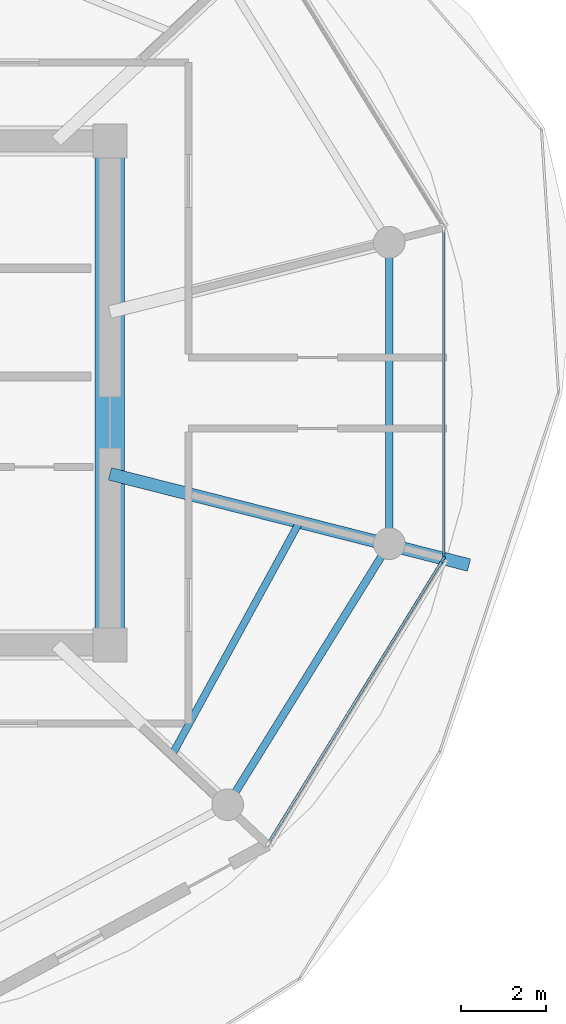
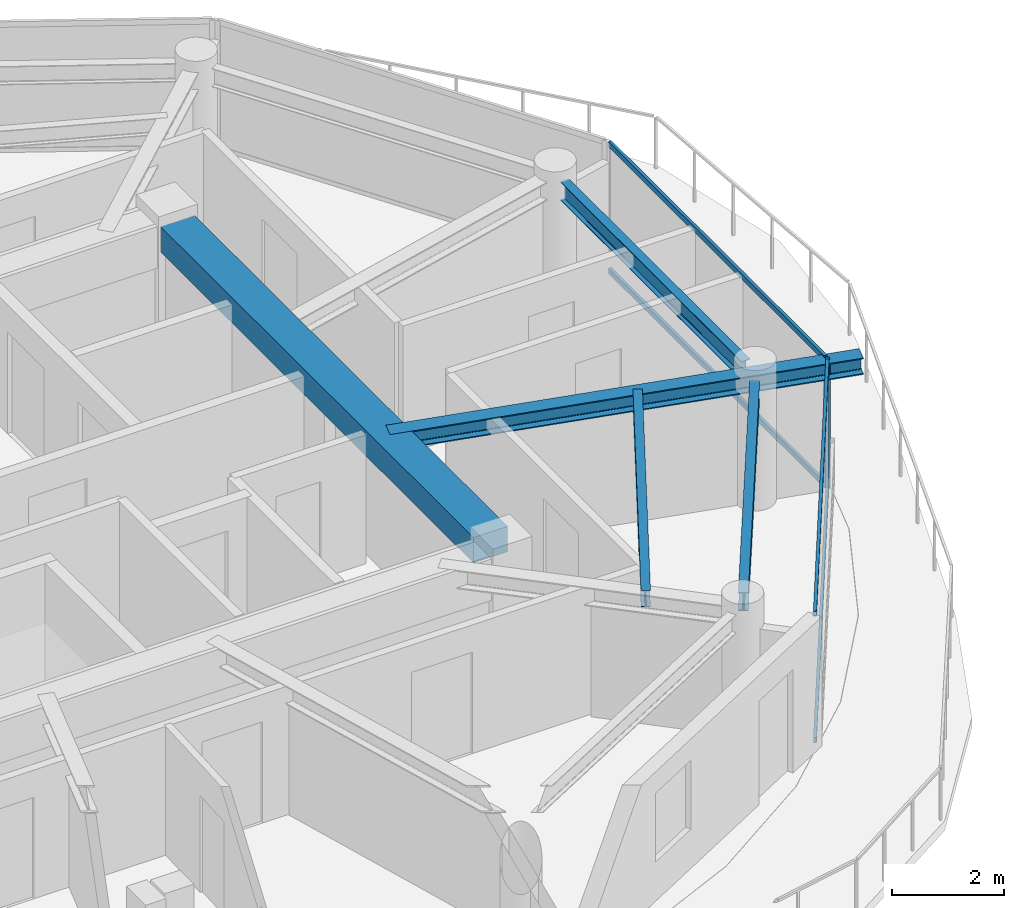
# One storey, part 3 of 19: 6 members, 5 beams, 2 elements without a shape of their own.
"""IFC4 building model written with IfcOpenShell, lengths in metres."""

from ifc_helpers import new_model, si_unit, direction, frame, origin, origin_2d, place, context, subcontext, project, spatial, rectangle, i_section, extrude, source, transform, mapped, material, layer, layer_set, material_profile, profile_set, type_object, type_shapes, element, aggregate, save


model = new_model("IFC4")

# Units and contexts
model_context = context("Model", 3, precision=1e-05, world=origin(), true_north=direction((0.0, 1.0)))
body_context = subcontext(model_context, "Body", "Model", "MODEL_VIEW")
ifc_project = project(units=[si_unit("LENGTHUNIT", "METRE"), si_unit("AREAUNIT", "SQUARE_METRE"), si_unit("VOLUMEUNIT", "CUBIC_METRE"), si_unit("PLANEANGLEUNIT", "RADIAN"), si_unit("MASSUNIT", "GRAM", prefix="KILO")], contexts=[model_context])

# Site, building, storey
site_placement = place(None, origin())
site = spatial("IfcSite", under=ifc_project, at=site_placement, CompositionType="ELEMENT")
building_placement = place(site_placement, origin())
building = spatial("IfcBuilding", under=site, at=building_placement, Name="Norrkilde Senior Care Towers", CompositionType="ELEMENT")
storey_placement = place(building_placement, frame((0.0, 0.0, 193.699951171875)))
storey = spatial("IfcBuildingStorey", under=building, at=storey_placement, Name="L60", CompositionType="ELEMENT", Elevation=193.699951171875)

# Beams
ifc_material_1 = material(Name="Concrete C60/75", Category="concrete")
ifc_material_profile_1 = material_profile(ifc_material_1, rectangle(XDim=0.699951171875, YDim=0.550048828125, at=origin_2d()), Name="RC BM 700x550")
ifc_profile_set_1 = profile_set([ifc_material_profile_1], Name="Concrete C60/75")
beam_type_1 = type_object("IfcBeamType", Name="Core Portal Coupling Beam 700x550", PredefinedType="USERDEFINED", material=ifc_profile_set_1)
shared_shape_1 = source(origin(), body_context, "Body", "SweptSolid", [
    extrude(rectangle(XDim=0.699951171875, YDim=0.550048828125, at=origin_2d()), origin(), (0.0, 0.0, 1.0), 11.14013671875),
])
type_shapes(beam_type_1, [shared_shape_1])
beam_1_placement = place(storey_placement, frame((-20.35009765625, -5.570068359375, 2.53515625), z_axis=(0.0, 1.0, 0.0), x_axis=(-1.0, 0.0, 0.0)))
element("IfcBeam", 1, at=beam_1_placement, inside=storey, type_object=beam_type_1, Name="L60 Core W E Coupling Girder", ObjectType="GIRDER", PredefinedType="USERDEFINED", context=body_context, shape_type="MappedRepresentation", body=[
    mapped(shared_shape_1, transform((0.0, 0.0, 0.0), x_axis=(1.0, 0.0, 0.0), y_axis=(0.0, 1.0, 0.0), z_axis=(0.0, 0.0, 1.0), scale=1.0)),
])
ifc_material_2 = material(Name="Steel S355", Category="steel")
ifc_material_profile_2 = material_profile(ifc_material_2, i_section(OverallWidth=0.179931640625, OverallDepth=0.39990234375, WebThickness=0.008544921875, FlangeThickness=0.013427734375, FilletRadius=0.02099609375, at=origin_2d()), Name="IPE 400")
ifc_profile_set_2 = profile_set([ifc_material_profile_2], Name="Steel S355")
beam_type_2 = type_object("IfcBeamType", Name="Perimeter Ring Spandrel Z4 IPE400", PredefinedType="SPANDREL", material=ifc_profile_set_2)
shared_shape_2 = source(origin(), body_context, "Body", "SweptSolid", [
    extrude(i_section(OverallWidth=0.179931640625, OverallDepth=0.39990234375, WebThickness=0.008544921875, FlangeThickness=0.013427734375, FilletRadius=0.02099609375, at=origin_2d()), origin(), (0.0, 0.0, 1.0), 6.58056640625),
])
beam_2_placement = place(storey_placement, frame((-17.393798828125, -9.43798828125, 2.610107421875), z_axis=(0.526529583789, 0.850156807533, 0.0), x_axis=(-0.850156807533, 0.526529583789, 0.0)))
element("IfcBeam", 2, at=beam_2_placement, inside=storey, type_object=beam_type_2, Name="L60 Drum W Perimeter Spandrel 11", PredefinedType="SPANDREL", context=body_context, shape_type="MappedRepresentation", body=[
    mapped(shared_shape_2, transform((0.0, 0.0, 0.0), x_axis=(1.0, 0.0, 0.0), y_axis=(0.0, 1.0, 0.0), z_axis=(0.0, 0.0, 1.0), scale=1.0)),
])
shared_shape_3 = source(origin(), body_context, "Body", "SweptSolid", [
    extrude(i_section(OverallWidth=0.179931640625, OverallDepth=0.39990234375, WebThickness=0.008544921875, FlangeThickness=0.013427734375, FilletRadius=0.02099609375, at=origin_2d()), origin(), (0.0, 0.0, 1.0), 6.44775390625),
])
type_shapes(beam_type_2, [shared_shape_2, shared_shape_3])
beam_3_placement = place(storey_placement, frame((-13.752685546875, -3.223876953125, 2.610107421875), z_axis=(0.0, 1.0, 0.0), x_axis=(-1.0, 0.0, 0.0)))
element("IfcBeam", 3, at=beam_3_placement, inside=storey, type_object=beam_type_2, Name="L60 Drum W Perimeter Spandrel 12", PredefinedType="SPANDREL", context=body_context, shape_type="MappedRepresentation", body=[
    mapped(shared_shape_3, transform((0.0, 0.0, 0.0), x_axis=(1.0, 0.0, 0.0), y_axis=(0.0, 1.0, 0.0), z_axis=(0.0, 0.0, 1.0), scale=1.0)),
])
ifc_material_profile_3 = material_profile(ifc_material_2, i_section(OverallWidth=0.169921875, OverallDepth=0.360107421875, WebThickness=0.008056640625, FlangeThickness=0.0126953125, FilletRadius=0.01806640625, at=origin_2d()), Name="IPE 360")
ifc_profile_set_3 = profile_set([ifc_material_profile_3], Name="Steel S355")
beam_type_3 = type_object("IfcBeamType", Name="Secondary Floor Joist IPE360", PredefinedType="JOIST", material=ifc_profile_set_3)
shared_shape_4 = source(origin(), body_context, "Body", "SweptSolid", [
    extrude(i_section(OverallWidth=0.169921875, OverallDepth=0.360107421875, WebThickness=0.008056640625, FlangeThickness=0.0126953125, FilletRadius=0.01806640625, at=origin_2d()), origin(), (0.0, 0.0, 1.0), 6.25146484375),
])
type_shapes(beam_type_3, [shared_shape_4])
beam_4_placement = place(storey_placement, frame((-18.865234375, -8.515380859375, 2.630126953125), z_axis=(0.480115752653, 0.877205143655, 0.0), x_axis=(-0.877205143655, 0.480115752653, 0.0)))
element("IfcBeam", 4, at=beam_4_placement, inside=storey, type_object=beam_type_3, Name="L60 Drum W Secondary Floor Joist 4", PredefinedType="JOIST", context=body_context, shape_type="MappedRepresentation", body=[
    mapped(shared_shape_4, transform((0.0, 0.0, 0.0), x_axis=(1.0, 0.0, 0.0), y_axis=(0.0, 1.0, 0.0), z_axis=(0.0, 0.0, 1.0), scale=1.0)),
])
ifc_material_profile_4 = material_profile(ifc_material_2, i_section(OverallWidth=0.300048828125, OverallDepth=0.360107421875, WebThickness=0.012451171875, FlangeThickness=0.0224609375, FilletRadius=0.027099609375, at=origin_2d()), Name="HEB 360")
ifc_profile_set_4 = profile_set([ifc_material_profile_4], Name="Steel S355")
beam_type_4 = type_object("IfcBeamType", Name="Balcony Crest Cantilever Rib HEB360", PredefinedType="BEAM", material=ifc_profile_set_4)
shared_shape_5 = source(origin(), body_context, "Body", "SweptSolid", [
    extrude(i_section(OverallWidth=0.300048828125, OverallDepth=0.360107421875, WebThickness=0.012451171875, FlangeThickness=0.0224609375, FilletRadius=0.027099609375, at=origin_2d()), origin(), (0.0, 0.0, 1.0), 8.749755859375),
])
type_shapes(beam_type_4, [shared_shape_5])
beam_5_placement = place(storey_placement, frame((-20.35009765625, -1.910888671875, 2.630126953125), z_axis=(0.969266368231, -0.246013632584, 0.0), x_axis=(0.246013632584, 0.969266368231, 0.0)))
element("IfcBeam", 5, at=beam_5_placement, inside=storey, type_object=beam_type_4, Name="L60 Drum W Balcony Cantilever Rib", PredefinedType="BEAM", context=body_context, shape_type="MappedRepresentation", body=[
    mapped(shared_shape_5, transform((0.0, 0.0, 0.0), x_axis=(1.0, 0.0, 0.0), y_axis=(0.0, 1.0, 0.0), z_axis=(0.0, 0.0, 1.0), scale=1.0)),
])

# Curtain wall, member
ifc_material_3 = material(Name="Triple Low-E Insulated Glazing", Category="glass")
ifc_layer = layer(ifc_material_3, 0.18505859375)
ifc_layer_set = layer_set([ifc_layer], Name="Triple Low-E Insulated Glazing")
curtain_wall_type = type_object("IfcCurtainWallType", Name="CW6 Zone 4 Crown Pavilion Curtain Wall", PredefinedType="NOTDEFINED", material=ifc_layer_set)
curtain_wall_1_placement = place(storey_placement, origin())
curtain_wall_1 = element("IfcCurtainWall", 6, at=curtain_wall_1_placement, inside=storey, type_object=curtain_wall_type, Name="L60 Drum W Curtain Wall 10", PredefinedType="NOTDEFINED")
ifc_material_4 = material(Name="Anodised Aluminium", Category="aluminium")
ifc_material_profile_5 = material_profile(ifc_material_4, rectangle(XDim=0.06494140625, YDim=0.14990234375, at=origin_2d()), Name="ALU MULL 65x150")
ifc_profile_set_5 = profile_set([ifc_material_profile_5], Name="Anodised Aluminium")
member_type_1 = type_object("IfcMemberType", Name="Curtain Wall Mullion Z3-Z4 65x150", PredefinedType="MULLION", material=ifc_profile_set_5)
shared_shape_6 = source(origin(), body_context, "Body", "SweptSolid", [
    extrude(rectangle(XDim=0.06494140625, YDim=0.14990234375, at=origin_2d()), origin(), (0.0, 0.0, 1.0), 2.81005859375),
])
type_shapes(member_type_1, [shared_shape_6])
member_1_placement = place(storey_placement, frame((-12.48486328125, -3.9306640625, 0.0), z_axis=(0.0, 0.0, 1.0), x_axis=(0.851562727283, -0.524252726748, 0.0)))
member_1 = element("IfcMember", 7, at=member_1_placement, type_object=member_type_1, Name="CW-6 mullion 1", PredefinedType="MULLION", context=body_context, shape_type="MappedRepresentation", body=[
    mapped(shared_shape_6, transform((0.0, 0.0, 0.0), x_axis=(1.0, 0.0, 0.0), y_axis=(0.0, 1.0, 0.0), z_axis=(0.0, 0.0, 1.0), scale=1.0)),
])

curtain_wall_2_placement = place(storey_placement, origin())
curtain_wall_2 = element("IfcCurtainWall", 8, at=curtain_wall_2_placement, inside=storey, type_object=curtain_wall_type, Name="L60 Drum W Curtain Wall 11", PredefinedType="NOTDEFINED")
member_2_placement = place(storey_placement, frame((-12.468017578125, -3.87060546875, 0.0), z_axis=(0.0, 0.0, 1.0), x_axis=(1.0, 0.0, 0.0)))
member_2 = element("IfcMember", 9, at=member_2_placement, type_object=member_type_1, Name="CW-6 mullion 2", PredefinedType="MULLION", context=body_context, shape_type="MappedRepresentation", body=[
    mapped(shared_shape_6, transform((0.0, 0.0, 0.0), x_axis=(1.0, 0.0, 0.0), y_axis=(0.0, 1.0, 0.0), z_axis=(0.0, 0.0, 1.0), scale=1.0)),
])

# Member
ifc_material_profile_6 = material_profile(ifc_material_4, rectangle(XDim=0.06005859375, YDim=0.1201171875, at=origin_2d()), Name="ALU TRAN 60x120")
ifc_profile_set_6 = profile_set([ifc_material_profile_6], Name="Anodised Aluminium")
member_type_2 = type_object("IfcMemberType", Name="Curtain Wall Transom Typical 60x120", PredefinedType="USERDEFINED", material=ifc_profile_set_6)
shared_shape_7 = source(origin(), body_context, "Body", "SweptSolid", [
    extrude(rectangle(XDim=0.06005859375, YDim=0.1201171875, at=origin_2d()), origin(), (0.0, 0.0, 1.0), 7.808837890625),
])
member_3_placement = place(storey_placement, frame((-12.501953125, -3.958251953125, 0.030029296875), z_axis=(-0.524250924101, -0.851563837055, 0.0), x_axis=(0.851563837055, -0.524250924101, 0.0)))
member_3 = element("IfcMember", 10, at=member_3_placement, type_object=member_type_2, Name="CW-6 transom 1.1", ObjectType="TRANSOM", PredefinedType="USERDEFINED", context=body_context, shape_type="MappedRepresentation", body=[
    mapped(shared_shape_7, transform((0.0, 0.0, 0.0), x_axis=(1.0, 0.0, 0.0), y_axis=(0.0, 1.0, 0.0), z_axis=(0.0, 0.0, 1.0), scale=1.0)),
])

member_4_placement = place(storey_placement, frame((-12.501953125, -3.958251953125, 2.780029296875), z_axis=(-0.524250924101, -0.851563837055, 0.0), x_axis=(0.851563837055, -0.524250924101, 0.0)))
member_4 = element("IfcMember", 11, at=member_4_placement, type_object=member_type_2, Name="CW-6 transom 1.2", ObjectType="TRANSOM", PredefinedType="USERDEFINED", context=body_context, shape_type="MappedRepresentation", body=[
    mapped(shared_shape_7, transform((0.0, 0.0, 0.0), x_axis=(1.0, 0.0, 0.0), y_axis=(0.0, 1.0, 0.0), z_axis=(0.0, 0.0, 1.0), scale=1.0)),
])

aggregate(curtain_wall_1, [member_1, member_3, member_4])

shared_shape_8 = source(origin(), body_context, "Body", "SweptSolid", [
    extrude(rectangle(XDim=0.06005859375, YDim=0.1201171875, at=origin_2d()), origin(), (0.0, 0.0, 1.0), 7.67578125),
])
type_shapes(member_type_2, [shared_shape_7, shared_shape_8])
member_5_placement = place(storey_placement, frame((-12.468017578125, 3.837890625, 0.030029296875), z_axis=(0.0, -1.0, 0.0), x_axis=(1.0, 0.0, 0.0)))
member_5 = element("IfcMember", 12, at=member_5_placement, type_object=member_type_2, Name="CW-6 transom 1.1", ObjectType="TRANSOM", PredefinedType="USERDEFINED", context=body_context, shape_type="MappedRepresentation", body=[
    mapped(shared_shape_8, transform((0.0, 0.0, 0.0), x_axis=(1.0, 0.0, 0.0), y_axis=(0.0, 1.0, 0.0), z_axis=(0.0, 0.0, 1.0), scale=1.0)),
])

member_6_placement = place(storey_placement, frame((-12.468017578125, 3.837890625, 2.780029296875), z_axis=(0.0, -1.0, 0.0), x_axis=(1.0, 0.0, 0.0)))
member_6 = element("IfcMember", 13, at=member_6_placement, type_object=member_type_2, Name="CW-6 transom 1.2", ObjectType="TRANSOM", PredefinedType="USERDEFINED", context=body_context, shape_type="MappedRepresentation", body=[
    mapped(shared_shape_8, transform((0.0, 0.0, 0.0), x_axis=(1.0, 0.0, 0.0), y_axis=(0.0, 1.0, 0.0), z_axis=(0.0, 0.0, 1.0), scale=1.0)),
])

aggregate(curtain_wall_2, [member_2, member_5, member_6])

save(model, "model.ifc")
